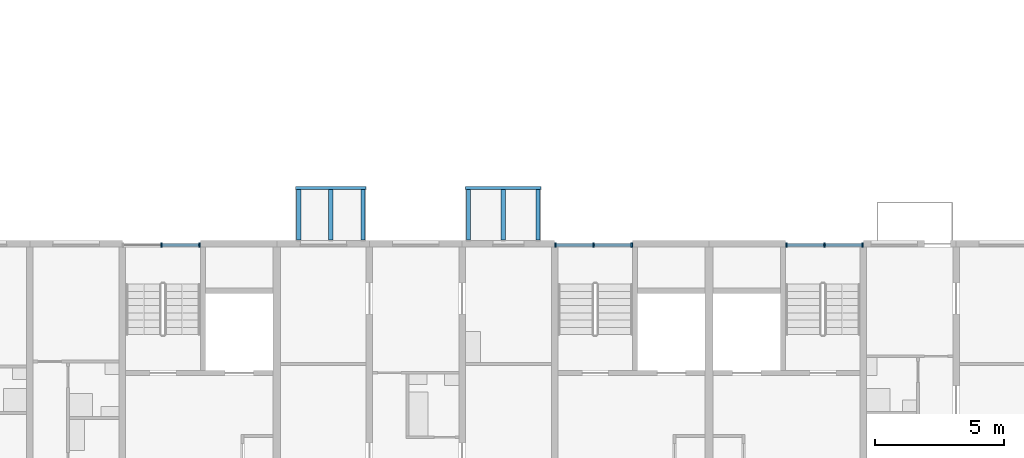
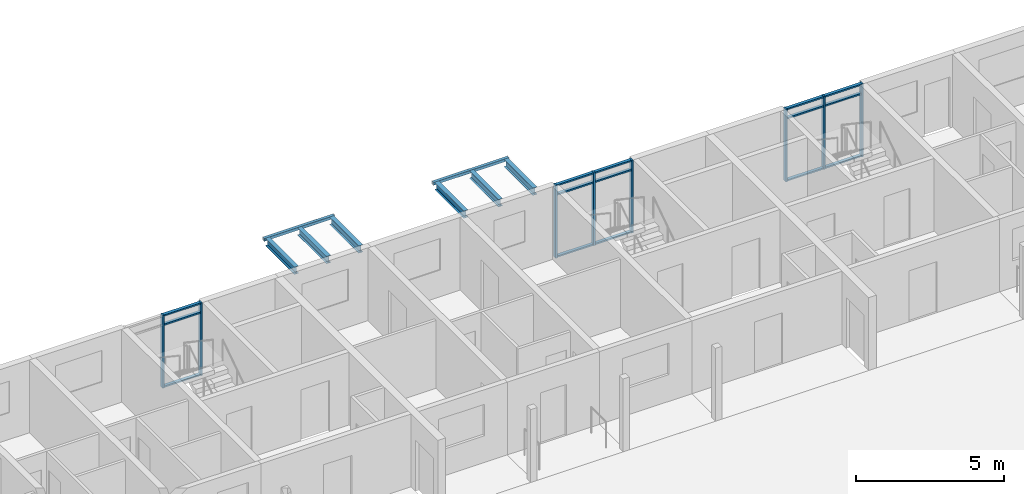
# One storey, part 23 of 115: 23 members, 8 beams, 3 elements without a shape of their own.
"""IFC4 building model written with IfcOpenShell, lengths in metres."""

from ifc_helpers import new_model, si_unit, direction, frame, origin, origin_2d, place, context, subcontext, project, spatial, rectangle, hollow_rectangle, i_section, extrude, material, material_profile, profile_set, type_object, element, aggregate, save


model = new_model("IFC4")

# Units and contexts
model_context = context("Model", 3, precision=1e-05, world=origin(), true_north=direction((0.0, 1.0)))
body_context = subcontext(model_context, "Body", "Model", "MODEL_VIEW")
ifc_project = project(units=[si_unit("LENGTHUNIT", "METRE"), si_unit("AREAUNIT", "SQUARE_METRE"), si_unit("VOLUMEUNIT", "CUBIC_METRE"), si_unit("PLANEANGLEUNIT", "RADIAN"), si_unit("MASSUNIT", "GRAM", prefix="KILO")], contexts=[model_context])

# Site, building, storey
site_placement = place(None, origin())
site = spatial("IfcSite", under=ifc_project, at=site_placement, CompositionType="ELEMENT")
building_placement = place(site_placement, origin())
building = spatial("IfcBuilding", under=site, at=building_placement, Name="Ridgestep Commons", CompositionType="ELEMENT")
storey_placement = place(building_placement, frame((0.0, 0.0, 6.0)))
storey = spatial("IfcBuildingStorey", under=building, at=storey_placement, Name="L02", CompositionType="ELEMENT", Elevation=6.0)

# Curtain wall, members
ifc_material_1 = material(Name="Aluminium 6063-T6 and glass", Category="aluminium")
curtain_wall_type = type_object("IfcCurtainWallType", Name="Curtain wall stair strip", PredefinedType="NOTDEFINED", material=ifc_material_1)
curtain_wall_1_placement = place(storey_placement, origin())
curtain_wall_1 = element("IfcCurtainWall", 1, at=curtain_wall_1_placement, inside=storey, type_object=curtain_wall_type, Name="Curtain wall D3C level 02", PredefinedType="NOTDEFINED")
ifc_material_2 = material(Name="Aluminium 6063-T6", Category="aluminium")
ifc_material_profile_1 = material_profile(ifc_material_2, rectangle(XDim=0.159912109375, YDim=0.06005859375, at=origin_2d()), Name="Mullion 60 x 160")
ifc_profile_set_1 = profile_set([ifc_material_profile_1], Name="Aluminium 6063-T6")
member_type_1 = type_object("IfcMemberType", Name="Mullion 60 x 160", PredefinedType="MULLION", material=ifc_profile_set_1)
member_1_placement = place(storey_placement, frame((192.71240234375, 22.830078125, 0.0), z_axis=(0.0, 0.0, 1.0), x_axis=(0.0, 1.0, 0.0)))
member_1 = element("IfcMember", 2, at=member_1_placement, type_object=member_type_1, Name="CW1 mullion 2", PredefinedType="MULLION", context=body_context, shape_type="SweptSolid", body=[
    extrude(rectangle(XDim=0.159912109375, YDim=0.06005859375, at=origin_2d()), origin(), (0.0, 0.0, 1.0), 3.0),
])
member_2_placement = place(storey_placement, frame((194.195068359375, 22.830078125, 0.0), z_axis=(0.0, 0.0, 1.0), x_axis=(0.0, 1.0, 0.0)))
member_2 = element("IfcMember", 3, at=member_2_placement, type_object=member_type_1, Name="CW1 mullion 3", PredefinedType="MULLION", context=body_context, shape_type="SweptSolid", body=[
    extrude(rectangle(XDim=0.159912109375, YDim=0.06005859375, at=origin_2d()), origin(), (0.0, 0.0, 1.0), 3.0),
])

curtain_wall_2_placement = place(storey_placement, origin())
curtain_wall_2 = element("IfcCurtainWall", 4, at=curtain_wall_2_placement, inside=storey, type_object=curtain_wall_type, Name="Curtain wall D4C level 02", PredefinedType="NOTDEFINED")
member_3_placement = place(storey_placement, frame((208.030029296875, 22.830078125, 0.0), z_axis=(0.0, 0.0, 1.0), x_axis=(0.0, 1.0, 0.0)))
member_3 = element("IfcMember", 5, at=member_3_placement, type_object=member_type_1, Name="CW1 mullion 1", PredefinedType="MULLION", context=body_context, shape_type="SweptSolid", body=[
    extrude(rectangle(XDim=0.159912109375, YDim=0.06005859375, at=origin_2d()), origin(), (0.0, 0.0, 1.0), 3.0),
])
member_4_placement = place(storey_placement, frame((209.512451171875, 22.830078125, 0.0), z_axis=(0.0, 0.0, 1.0), x_axis=(0.0, 1.0, 0.0)))
member_4 = element("IfcMember", 6, at=member_4_placement, type_object=member_type_1, Name="CW1 mullion 2", PredefinedType="MULLION", context=body_context, shape_type="SweptSolid", body=[
    extrude(rectangle(XDim=0.159912109375, YDim=0.06005859375, at=origin_2d()), origin(), (0.0, 0.0, 1.0), 3.0),
])
member_5_placement = place(storey_placement, frame((210.9951171875, 22.830078125, 0.0), z_axis=(0.0, 0.0, 1.0), x_axis=(0.0, 1.0, 0.0)))
member_5 = element("IfcMember", 7, at=member_5_placement, type_object=member_type_1, Name="CW1 mullion 3", PredefinedType="MULLION", context=body_context, shape_type="SweptSolid", body=[
    extrude(rectangle(XDim=0.159912109375, YDim=0.06005859375, at=origin_2d()), origin(), (0.0, 0.0, 1.0), 3.0),
])

curtain_wall_3_placement = place(storey_placement, origin())
curtain_wall_3 = element("IfcCurtainWall", 8, at=curtain_wall_3_placement, inside=storey, type_object=curtain_wall_type, Name="Curtain wall D5C level 02", PredefinedType="NOTDEFINED")
member_6_placement = place(storey_placement, frame((217.0048828125, 22.830078125, 0.0), z_axis=(0.0, 0.0, 1.0), x_axis=(0.0, 1.0, 0.0)))
member_6 = element("IfcMember", 9, at=member_6_placement, type_object=member_type_1, Name="CW1 mullion 1", PredefinedType="MULLION", context=body_context, shape_type="SweptSolid", body=[
    extrude(rectangle(XDim=0.159912109375, YDim=0.06005859375, at=origin_2d()), origin(), (0.0, 0.0, 1.0), 3.0),
])
member_7_placement = place(storey_placement, frame((218.487548828125, 22.830078125, 0.0), z_axis=(0.0, 0.0, 1.0), x_axis=(0.0, 1.0, 0.0)))
member_7 = element("IfcMember", 10, at=member_7_placement, type_object=member_type_1, Name="CW1 mullion 2", PredefinedType="MULLION", context=body_context, shape_type="SweptSolid", body=[
    extrude(rectangle(XDim=0.159912109375, YDim=0.06005859375, at=origin_2d()), origin(), (0.0, 0.0, 1.0), 3.0),
])
member_8_placement = place(storey_placement, frame((219.969970703125, 22.830078125, 0.0), z_axis=(0.0, 0.0, 1.0), x_axis=(0.0, 1.0, 0.0)))
member_8 = element("IfcMember", 11, at=member_8_placement, type_object=member_type_1, Name="CW1 mullion 3", PredefinedType="MULLION", context=body_context, shape_type="SweptSolid", body=[
    extrude(rectangle(XDim=0.159912109375, YDim=0.06005859375, at=origin_2d()), origin(), (0.0, 0.0, 1.0), 3.0),
])

# Member
ifc_material_3 = material(Name="Aluminium 6063-T6", Category="aluminium")
ifc_material_profile_2 = material_profile(ifc_material_3, rectangle(XDim=0.1201171875, YDim=0.06005859375, at=origin_2d()), Name="Transom 60 x 120")
ifc_profile_set_2 = profile_set([ifc_material_profile_2], Name="Aluminium 6063-T6")
member_type_2 = type_object("IfcMemberType", Name="Transom 60 x 120", PredefinedType="USERDEFINED", material=ifc_profile_set_2)
member_9_placement = place(storey_placement, frame((192.742431640625, 22.830078125, 0.030029296875), z_axis=(1.0, 0.0, 0.0), x_axis=(0.0, 1.0, 0.0)))
member_9 = element("IfcMember", 12, at=member_9_placement, type_object=member_type_2, Name="CW1 transom 2.1", ObjectType="TRANSOM", PredefinedType="USERDEFINED", context=body_context, shape_type="SweptSolid", body=[
    extrude(rectangle(XDim=0.1201171875, YDim=0.06005859375, at=origin_2d()), origin(), (0.0, 0.0, 1.0), 1.422607421875),
])

member_10_placement = place(storey_placement, frame((192.742431640625, 22.830078125, 2.590087890625), z_axis=(1.0, 0.0, 0.0), x_axis=(0.0, 1.0, 0.0)))
member_10 = element("IfcMember", 13, at=member_10_placement, type_object=member_type_2, Name="CW1 transom 2.2", ObjectType="TRANSOM", PredefinedType="USERDEFINED", context=body_context, shape_type="SweptSolid", body=[
    extrude(rectangle(XDim=0.1201171875, YDim=0.06005859375, at=origin_2d()), origin(), (0.0, 0.0, 1.0), 1.422607421875),
])

member_11_placement = place(storey_placement, frame((192.742431640625, 22.830078125, 2.969970703125), z_axis=(1.0, 0.0, 0.0), x_axis=(0.0, 1.0, 0.0)))
member_11 = element("IfcMember", 14, at=member_11_placement, type_object=member_type_2, Name="CW1 transom 2.3", ObjectType="TRANSOM", PredefinedType="USERDEFINED", context=body_context, shape_type="SweptSolid", body=[
    extrude(rectangle(XDim=0.1201171875, YDim=0.06005859375, at=origin_2d()), origin(), (0.0, 0.0, 1.0), 1.422607421875),
])

aggregate(curtain_wall_1, [member_1, member_2, member_9, member_10, member_11])

member_12_placement = place(storey_placement, frame((208.06005859375, 22.830078125, 0.030029296875), z_axis=(1.0, 0.0, 0.0), x_axis=(0.0, 1.0, 0.0)))
member_12 = element("IfcMember", 15, at=member_12_placement, type_object=member_type_2, Name="CW1 transom 1.1", ObjectType="TRANSOM", PredefinedType="USERDEFINED", context=body_context, shape_type="SweptSolid", body=[
    extrude(rectangle(XDim=0.1201171875, YDim=0.06005859375, at=origin_2d()), origin(), (0.0, 0.0, 1.0), 1.42236328125),
])

member_13_placement = place(storey_placement, frame((208.06005859375, 22.830078125, 2.590087890625), z_axis=(1.0, 0.0, 0.0), x_axis=(0.0, 1.0, 0.0)))
member_13 = element("IfcMember", 16, at=member_13_placement, type_object=member_type_2, Name="CW1 transom 1.2", ObjectType="TRANSOM", PredefinedType="USERDEFINED", context=body_context, shape_type="SweptSolid", body=[
    extrude(rectangle(XDim=0.1201171875, YDim=0.06005859375, at=origin_2d()), origin(), (0.0, 0.0, 1.0), 1.42236328125),
])

member_14_placement = place(storey_placement, frame((208.06005859375, 22.830078125, 2.969970703125), z_axis=(1.0, 0.0, 0.0), x_axis=(0.0, 1.0, 0.0)))
member_14 = element("IfcMember", 17, at=member_14_placement, type_object=member_type_2, Name="CW1 transom 1.3", ObjectType="TRANSOM", PredefinedType="USERDEFINED", context=body_context, shape_type="SweptSolid", body=[
    extrude(rectangle(XDim=0.1201171875, YDim=0.06005859375, at=origin_2d()), origin(), (0.0, 0.0, 1.0), 1.42236328125),
])

member_15_placement = place(storey_placement, frame((209.54248046875, 22.830078125, 0.030029296875), z_axis=(1.0, 0.0, 0.0), x_axis=(0.0, 1.0, 0.0)))
member_15 = element("IfcMember", 18, at=member_15_placement, type_object=member_type_2, Name="CW1 transom 2.1", ObjectType="TRANSOM", PredefinedType="USERDEFINED", context=body_context, shape_type="SweptSolid", body=[
    extrude(rectangle(XDim=0.1201171875, YDim=0.06005859375, at=origin_2d()), origin(), (0.0, 0.0, 1.0), 1.422607421875),
])

member_16_placement = place(storey_placement, frame((209.54248046875, 22.830078125, 2.590087890625), z_axis=(1.0, 0.0, 0.0), x_axis=(0.0, 1.0, 0.0)))
member_16 = element("IfcMember", 19, at=member_16_placement, type_object=member_type_2, Name="CW1 transom 2.2", ObjectType="TRANSOM", PredefinedType="USERDEFINED", context=body_context, shape_type="SweptSolid", body=[
    extrude(rectangle(XDim=0.1201171875, YDim=0.06005859375, at=origin_2d()), origin(), (0.0, 0.0, 1.0), 1.422607421875),
])

member_17_placement = place(storey_placement, frame((209.54248046875, 22.830078125, 2.969970703125), z_axis=(1.0, 0.0, 0.0), x_axis=(0.0, 1.0, 0.0)))
member_17 = element("IfcMember", 20, at=member_17_placement, type_object=member_type_2, Name="CW1 transom 2.3", ObjectType="TRANSOM", PredefinedType="USERDEFINED", context=body_context, shape_type="SweptSolid", body=[
    extrude(rectangle(XDim=0.1201171875, YDim=0.06005859375, at=origin_2d()), origin(), (0.0, 0.0, 1.0), 1.422607421875),
])

aggregate(curtain_wall_2, [member_3, member_4, member_5, member_12, member_13, member_14, member_15, member_16, member_17])

member_18_placement = place(storey_placement, frame((217.034912109375, 22.830078125, 0.030029296875), z_axis=(1.0, 0.0, 0.0), x_axis=(0.0, 1.0, 0.0)))
member_18 = element("IfcMember", 21, at=member_18_placement, type_object=member_type_2, Name="CW1 transom 1.1", ObjectType="TRANSOM", PredefinedType="USERDEFINED", context=body_context, shape_type="SweptSolid", body=[
    extrude(rectangle(XDim=0.1201171875, YDim=0.06005859375, at=origin_2d()), origin(), (0.0, 0.0, 1.0), 1.422607421875),
])

member_19_placement = place(storey_placement, frame((217.034912109375, 22.830078125, 2.590087890625), z_axis=(1.0, 0.0, 0.0), x_axis=(0.0, 1.0, 0.0)))
member_19 = element("IfcMember", 22, at=member_19_placement, type_object=member_type_2, Name="CW1 transom 1.2", ObjectType="TRANSOM", PredefinedType="USERDEFINED", context=body_context, shape_type="SweptSolid", body=[
    extrude(rectangle(XDim=0.1201171875, YDim=0.06005859375, at=origin_2d()), origin(), (0.0, 0.0, 1.0), 1.422607421875),
])

member_20_placement = place(storey_placement, frame((217.034912109375, 22.830078125, 2.969970703125), z_axis=(1.0, 0.0, 0.0), x_axis=(0.0, 1.0, 0.0)))
member_20 = element("IfcMember", 23, at=member_20_placement, type_object=member_type_2, Name="CW1 transom 1.3", ObjectType="TRANSOM", PredefinedType="USERDEFINED", context=body_context, shape_type="SweptSolid", body=[
    extrude(rectangle(XDim=0.1201171875, YDim=0.06005859375, at=origin_2d()), origin(), (0.0, 0.0, 1.0), 1.422607421875),
])

member_21_placement = place(storey_placement, frame((218.517578125, 22.830078125, 0.030029296875), z_axis=(1.0, 0.0, 0.0), x_axis=(0.0, 1.0, 0.0)))
member_21 = element("IfcMember", 24, at=member_21_placement, type_object=member_type_2, Name="CW1 transom 2.1", ObjectType="TRANSOM", PredefinedType="USERDEFINED", context=body_context, shape_type="SweptSolid", body=[
    extrude(rectangle(XDim=0.1201171875, YDim=0.06005859375, at=origin_2d()), origin(), (0.0, 0.0, 1.0), 1.42236328125),
])

member_22_placement = place(storey_placement, frame((218.517578125, 22.830078125, 2.590087890625), z_axis=(1.0, 0.0, 0.0), x_axis=(0.0, 1.0, 0.0)))
member_22 = element("IfcMember", 25, at=member_22_placement, type_object=member_type_2, Name="CW1 transom 2.2", ObjectType="TRANSOM", PredefinedType="USERDEFINED", context=body_context, shape_type="SweptSolid", body=[
    extrude(rectangle(XDim=0.1201171875, YDim=0.06005859375, at=origin_2d()), origin(), (0.0, 0.0, 1.0), 1.42236328125),
])

member_23_placement = place(storey_placement, frame((218.517578125, 22.830078125, 2.969970703125), z_axis=(1.0, 0.0, 0.0), x_axis=(0.0, 1.0, 0.0)))
member_23 = element("IfcMember", 26, at=member_23_placement, type_object=member_type_2, Name="CW1 transom 2.3", ObjectType="TRANSOM", PredefinedType="USERDEFINED", context=body_context, shape_type="SweptSolid", body=[
    extrude(rectangle(XDim=0.1201171875, YDim=0.06005859375, at=origin_2d()), origin(), (0.0, 0.0, 1.0), 1.42236328125),
])

aggregate(curtain_wall_3, [member_6, member_7, member_8, member_18, member_19, member_20, member_21, member_22, member_23])

# Beams
ifc_material_4 = material(Name="Weathering steel S355J2W", Category="steel")
ifc_material_profile_3 = material_profile(ifc_material_4, i_section(OverallWidth=0.1650390625, OverallDepth=0.303466796875, WebThickness=0.006103515625, FlangeThickness=0.01025390625, FilletRadius=0.0087890625, at=origin_2d()), Name="UB 305x165x40")
ifc_profile_set_3 = profile_set([ifc_material_profile_3], Name="Weathering steel S355J2W")
beam_type_1 = type_object("IfcBeamType", Name="Tray arm UB 305x165x40", PredefinedType="BEAM", material=ifc_profile_set_3)
for number, where, z_axis, x_axis, name in (
    (27, (198.050048828125, 23.014892578125, 2.83837890625), (0.0, 1.0, 0.0), (-1.0, 0.0, 0.0), "Tray arm D4T1-03.1"),
    (28, (199.300048828125, 23.014892578125, 2.83837890625), (0.0, 1.0, 0.0), (-1.0, 0.0, 0.0), "Tray arm D4T1-03.2"),
    (29, (200.550048828125, 23.014892578125, 2.83837890625), (0.0, 1.0, 0.0), (-1.0, 0.0, 0.0), "Tray arm D4T1-03.3"),
    (30, (204.64990234375, 23.014892578125, 2.83837890625), (0.0, 1.0, 0.0), (-1.0, 0.0, 0.0), "Tray arm D4T3-03.1"),
    (31, (206.0, 23.014892578125, 2.83837890625), (0.0, 1.0, 0.0), (-1.0, 0.0, 0.0), "Tray arm D4T3-03.2"),
    (32, (207.35009765625, 23.014892578125, 2.83837890625), (0.0, 1.0, 0.0), (-1.0, 0.0, 0.0), "Tray arm D4T3-03.3"),
):
    element("IfcBeam", number, at=place(storey_placement, frame(where, z_axis=z_axis, x_axis=x_axis)), inside=storey, type_object=beam_type_1, Name=name, PredefinedType="BEAM", context=body_context, shape_type="SweptSolid", body=[
        extrude(i_section(OverallWidth=0.1650390625, OverallDepth=0.303466796875, WebThickness=0.006103515625, FlangeThickness=0.01025390625, FilletRadius=0.0087890625, at=origin_2d()), origin(), (0.0, 0.0, 1.0), 1.965087890625),
    ])
ifc_material_5 = material(Name="Weathering steel S355J2W", Category="steel")
ifc_material_profile_4 = material_profile(ifc_material_5, hollow_rectangle(XDim=0.1201171875, YDim=0.1201171875, WallThickness=0.00634765625, InnerFilletRadius=0.00634765625, OuterFilletRadius=0.009521484375, at=origin_2d()), Name="SHS 120x120x6.3")
ifc_profile_set_4 = profile_set([ifc_material_profile_4], Name="Weathering steel S355J2W")
beam_type_2 = type_object("IfcBeamType", Name="Tray edge member SHS 120x120x6.3", PredefinedType="BEAM", material=ifc_profile_set_4)
beam_1_placement = place(storey_placement, frame((197.929931640625, 25.0400390625, 2.929931640625), z_axis=(1.0, 0.0, 0.0), x_axis=(0.0, 0.0, 1.0)))
element("IfcBeam", 33, at=beam_1_placement, inside=storey, type_object=beam_type_2, Name="Tray edge member D4T1-03", PredefinedType="BEAM", context=body_context, shape_type="SweptSolid", body=[
    extrude(hollow_rectangle(XDim=0.1201171875, YDim=0.1201171875, WallThickness=0.00634765625, InnerFilletRadius=0.00634765625, OuterFilletRadius=0.009521484375, at=origin_2d()), origin(), (0.0, 0.0, 1.0), 2.739990234375),
])
beam_2_placement = place(storey_placement, frame((204.530029296875, 25.0400390625, 2.929931640625), z_axis=(1.0, 0.0, 0.0), x_axis=(0.0, 0.0, 1.0)))
element("IfcBeam", 34, at=beam_2_placement, inside=storey, type_object=beam_type_2, Name="Tray edge member D4T3-03", PredefinedType="BEAM", context=body_context, shape_type="SweptSolid", body=[
    extrude(hollow_rectangle(XDim=0.1201171875, YDim=0.1201171875, WallThickness=0.00634765625, InnerFilletRadius=0.00634765625, OuterFilletRadius=0.009521484375, at=origin_2d()), origin(), (0.0, 0.0, 1.0), 2.93994140625),
])

save(model, "model.ifc")
